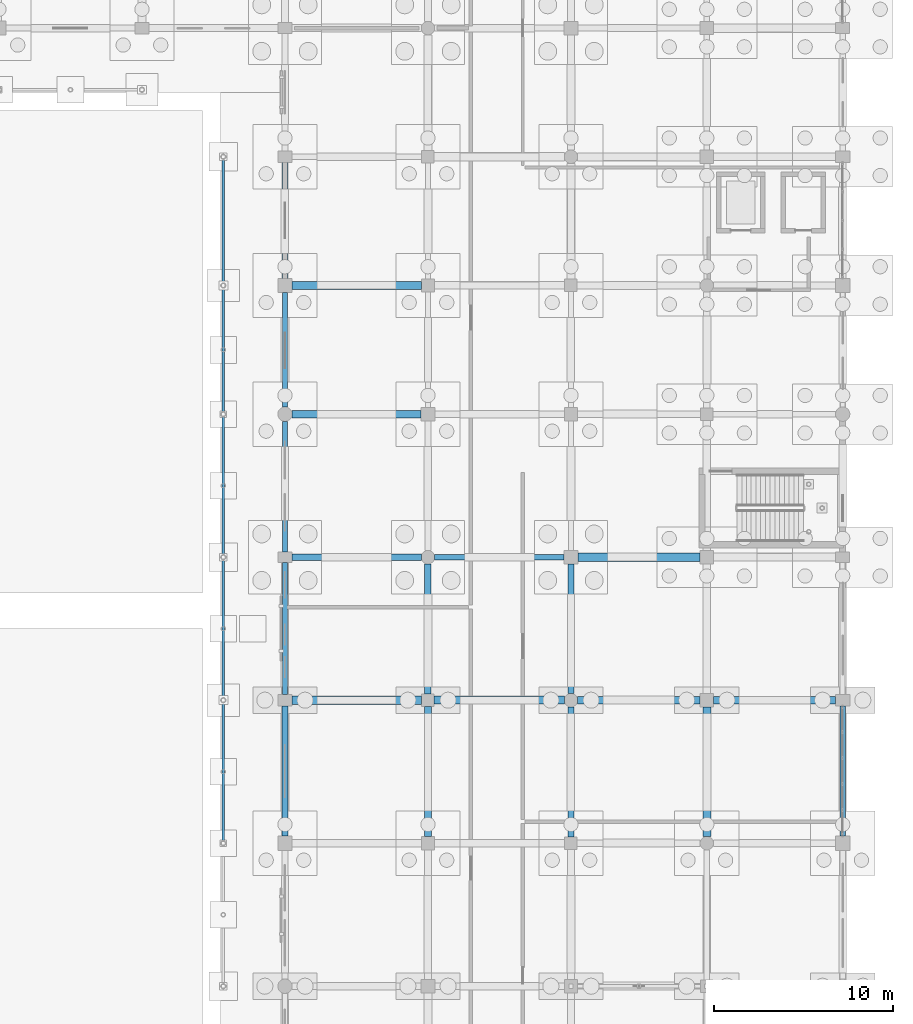
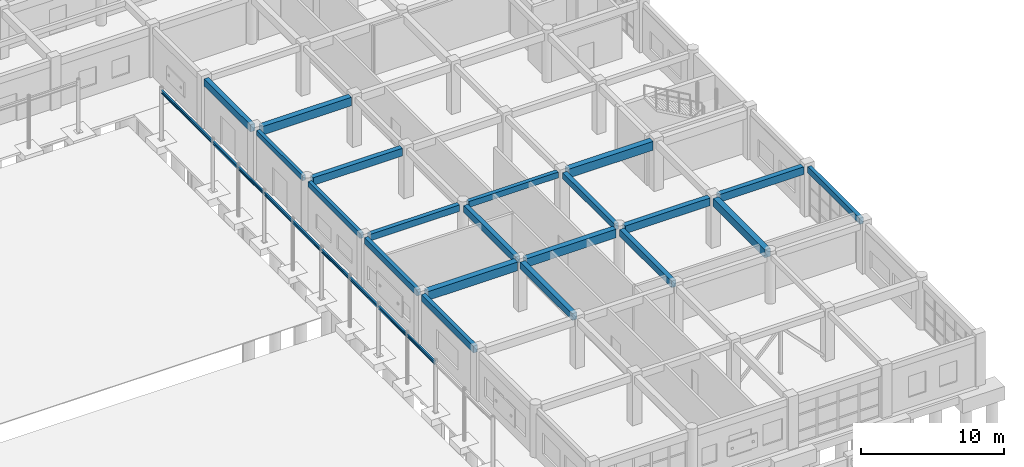
# One storey, part 93 of 166: 25 beams.
"""IFC4 building model written with IfcOpenShell, lengths in metres."""

from ifc_helpers import new_model, si_unit, direction, frame, origin, origin_2d, place, context, subcontext, project, spatial, rectangle, i_section, extrude, material, material_profile, profile_set, type_object, element, save


model = new_model("IFC4")

# Units and contexts
model_context = context("Model", 3, precision=1e-05, world=origin(), true_north=direction((0.0, 1.0)))
body_context = subcontext(model_context, "Body", "Model", "MODEL_VIEW")
ifc_project = project(units=[si_unit("LENGTHUNIT", "METRE"), si_unit("AREAUNIT", "SQUARE_METRE"), si_unit("VOLUMEUNIT", "CUBIC_METRE"), si_unit("PLANEANGLEUNIT", "RADIAN"), si_unit("MASSUNIT", "GRAM", prefix="KILO")], contexts=[model_context])

# Site, building, storey
site_placement = place(None, origin())
site = spatial("IfcSite", under=ifc_project, at=site_placement, CompositionType="ELEMENT")
building_placement = place(site_placement, origin())
building = spatial("IfcBuilding", under=site, at=building_placement, Name="Kharva Crest Polytechnic", CompositionType="ELEMENT")
storey_placement = place(building_placement, origin())
storey = spatial("IfcBuildingStorey", under=building, at=storey_placement, Name="L00", CompositionType="ELEMENT", Elevation=0.0)

# Beams
ifc_material_1 = material(Name="Concrete C35/45", Category="concrete")
ifc_material_profile_1 = material_profile(ifc_material_1, rectangle(XDim=0.320068359375, YDim=0.5, at=origin_2d()), Name="RECT 320 X 500")
ifc_profile_set_1 = profile_set([ifc_material_profile_1], Name="Concrete C35/45")
beam_type_1 = type_object("IfcBeamType", Name="BM-RC-320X500", PredefinedType="BEAM", material=ifc_profile_set_1)
beam_1_placement = place(storey_placement, frame((161.175048828125, 70.800048828125, 3.969970703125), z_axis=(1.0, 0.0, 0.0), x_axis=(0.0, 1.0, 0.0)))
element("IfcBeam", 1, at=beam_1_placement, inside=storey, type_object=beam_type_1, Name="L00 Beam K/21-22", PredefinedType="BEAM", context=body_context, shape_type="SweptSolid", body=[
    extrude(rectangle(XDim=0.320068359375, YDim=0.5, at=origin_2d()), origin(), (0.0, 0.0, 1.0), 7.244873046875),
])
ifc_material_profile_2 = material_profile(ifc_material_1, rectangle(XDim=0.340087890625, YDim=0.52001953125, at=origin_2d()), Name="RECT 340 X 520")
ifc_profile_set_2 = profile_set([ifc_material_profile_2], Name="Concrete C35/45")
beam_type_2 = type_object("IfcBeamType", Name="BM-RC-340X520", PredefinedType="BEAM", material=ifc_profile_set_2)
beam_2_placement = place(storey_placement, frame((168.800048828125, 63.175048828125, 3.9599609375), z_axis=(0.0, 1.0, 0.0), x_axis=(-1.0, 0.0, 0.0)))
element("IfcBeam", 2, at=beam_2_placement, inside=storey, type_object=beam_type_2, Name="L00 Girder 22/J-K", PredefinedType="BEAM", context=body_context, shape_type="SweptSolid", body=[
    extrude(rectangle(XDim=0.340087890625, YDim=0.52001953125, at=origin_2d()), origin(), (0.0, 0.0, 1.0), 7.244873046875),
])
ifc_material_profile_3 = material_profile(ifc_material_1, rectangle(XDim=0.35009765625, YDim=0.550048828125, at=origin_2d()), Name="RECT 350 X 550")
ifc_profile_set_3 = profile_set([ifc_material_profile_3], Name="Concrete C35/45")
beam_type_3 = type_object("IfcBeamType", Name="BM-RC-350X550", PredefinedType="BEAM", material=ifc_profile_set_3)
beam_3_placement = place(storey_placement, frame((153.18994140625, 70.800048828125, 3.945068359375), z_axis=(1.0, 0.0, 0.0), x_axis=(0.0, 1.0, 0.0)))
element("IfcBeam", 3, at=beam_3_placement, inside=storey, type_object=beam_type_3, Name="L00 Beam K/20-21", PredefinedType="BEAM", context=body_context, shape_type="SweptSolid", body=[
    extrude(rectangle(XDim=0.35009765625, YDim=0.550048828125, at=origin_2d()), origin(), (0.0, 0.0, 1.0), 7.235107421875),
])
ifc_material_profile_4 = material_profile(ifc_material_1, rectangle(XDim=0.360107421875, YDim=0.580078125, at=origin_2d()), Name="RECT 360 X 580")
ifc_profile_set_4 = profile_set([ifc_material_profile_4], Name="Concrete C35/45")
beam_type_4 = type_object("IfcBeamType", Name="BM-RC-360X580", PredefinedType="BEAM", material=ifc_profile_set_4)
for number, where, z_axis, x_axis, name in (
    (4, (160.800048828125, 63.14990234375, 3.929931640625), (0.0, 1.0, 0.0), (-1.0, 0.0, 0.0), "L00 Girder 21/J-K"),
    (5, (168.800048828125, 55.14990234375, 3.929931640625), (0.0, 1.0, 0.0), (-1.0, 0.0, 0.0), "L00 Girder 22/H-J"),
):
    element("IfcBeam", number, at=place(storey_placement, frame(where, z_axis=z_axis, x_axis=x_axis)), inside=storey, type_object=beam_type_4, Name=name, PredefinedType="BEAM", context=body_context, shape_type="SweptSolid", body=[
        extrude(rectangle(XDim=0.360107421875, YDim=0.580078125, at=origin_2d()), origin(), (0.0, 0.0, 1.0), 7.275146484375),
    ])
ifc_material_profile_5 = material_profile(ifc_material_1, rectangle(XDim=0.39990234375, YDim=0.580078125, at=origin_2d()), Name="RECT 400 X 580")
ifc_profile_set_5 = profile_set([ifc_material_profile_5], Name="Concrete C35/45")
beam_type_5 = type_object("IfcBeamType", Name="BM-RC-400X580", PredefinedType="BEAM", material=ifc_profile_set_5)
beam_4_placement = place(storey_placement, frame((160.800048828125, 55.169921875, 3.929931640625), z_axis=(0.0, 1.0, 0.0), x_axis=(-1.0, 0.0, 0.0)))
element("IfcBeam", 6, at=beam_4_placement, inside=storey, type_object=beam_type_5, Name="L00 Girder 21/H-J", PredefinedType="BEAM", context=body_context, shape_type="SweptSolid", body=[
    extrude(rectangle(XDim=0.39990234375, YDim=0.580078125, at=origin_2d()), origin(), (0.0, 0.0, 1.0), 7.280029296875),
])
ifc_material_profile_6 = material_profile(ifc_material_1, rectangle(XDim=0.39990234375, YDim=0.64990234375, at=origin_2d()), Name="RECT 400 X 650")
ifc_profile_set_6 = profile_set([ifc_material_profile_6], Name="Concrete C35/45")
beam_type_6 = type_object("IfcBeamType", Name="BM-RC-400X650", PredefinedType="BEAM", material=ifc_profile_set_6)
beam_5_placement = place(storey_placement, frame((176.780029296875, 62.800048828125, 3.89501953125), z_axis=(1.0, 0.0, 0.0), x_axis=(0.0, 1.0, 0.0)))
element("IfcBeam", 7, at=beam_5_placement, inside=storey, type_object=beam_type_6, Name="L00 Beam J/23-24", PredefinedType="BEAM", context=body_context, shape_type="SweptSolid", body=[
    extrude(rectangle(XDim=0.39990234375, YDim=0.64990234375, at=origin_2d()), origin(), (0.0, 0.0, 1.0), 6.820068359375),
])
beam_6_placement = place(storey_placement, frame((153.199951171875, 78.800048828125, 3.89501953125), z_axis=(1.0, 0.0, 0.0), x_axis=(0.0, 1.0, 0.0)))
element("IfcBeam", 8, at=beam_6_placement, inside=storey, type_object=beam_type_6, Name="L00 Beam L/20-21", PredefinedType="BEAM", context=body_context, shape_type="SweptSolid", body=[
    extrude(rectangle(XDim=0.39990234375, YDim=0.64990234375, at=origin_2d()), origin(), (0.0, 0.0, 1.0), 7.219970703125),
])
ifc_material_profile_7 = material_profile(ifc_material_1, rectangle(XDim=0.419921875, YDim=0.659912109375, at=origin_2d()), Name="RECT 420 X 660")
ifc_profile_set_7 = profile_set([ifc_material_profile_7], Name="Concrete C35/45")
beam_type_7 = type_object("IfcBeamType", Name="BM-RC-420X660", PredefinedType="BEAM", material=ifc_profile_set_7)
beam_7_placement = place(storey_placement, frame((169.175048828125, 62.800048828125, 3.889892578125), z_axis=(1.0, 0.0, 0.0), x_axis=(0.0, 1.0, 0.0)))
element("IfcBeam", 9, at=beam_7_placement, inside=storey, type_object=beam_type_7, Name="L00 Beam J/22-23", PredefinedType="BEAM", context=body_context, shape_type="SweptSolid", body=[
    extrude(rectangle(XDim=0.419921875, YDim=0.659912109375, at=origin_2d()), origin(), (0.0, 0.0, 1.0), 6.844970703125),
])
ifc_material_profile_8 = material_profile(ifc_material_1, rectangle(XDim=0.449951171875, YDim=0.679931640625, at=origin_2d()), Name="RECT 450 X 680")
ifc_profile_set_8 = profile_set([ifc_material_profile_8], Name="Concrete C35/45")
beam_type_8 = type_object("IfcBeamType", Name="BM-RC-450X680", PredefinedType="BEAM", material=ifc_profile_set_8)
beam_8_placement = place(storey_placement, frame((176.39990234375, 55.175048828125, 3.8798828125), z_axis=(0.0, 1.0, 0.0), x_axis=(-1.0, 0.0, 0.0)))
element("IfcBeam", 10, at=beam_8_placement, inside=storey, type_object=beam_type_8, Name="L00 Girder 23/H-J", PredefinedType="BEAM", context=body_context, shape_type="SweptSolid", body=[
    extrude(rectangle(XDim=0.449951171875, YDim=0.679931640625, at=origin_2d()), origin(), (0.0, 0.0, 1.0), 7.244873046875),
])
ifc_material_profile_9 = material_profile(ifc_material_1, rectangle(XDim=0.449951171875, YDim=0.719970703125, at=origin_2d()), Name="RECT 450 X 720")
ifc_profile_set_9 = profile_set([ifc_material_profile_9], Name="Concrete C35/45")
beam_type_9 = type_object("IfcBeamType", Name="BM-RC-450X720", PredefinedType="BEAM", material=ifc_profile_set_9)
beam_9_placement = place(storey_placement, frame((161.14990234375, 62.800048828125, 3.860107421875), z_axis=(1.0, 0.0, 0.0), x_axis=(0.0, 1.0, 0.0)))
element("IfcBeam", 11, at=beam_9_placement, inside=storey, type_object=beam_type_9, Name="L00 Beam J/21-22", PredefinedType="BEAM", context=body_context, shape_type="SweptSolid", body=[
    extrude(rectangle(XDim=0.449951171875, YDim=0.719970703125, at=origin_2d()), origin(), (0.0, 0.0, 1.0), 7.275146484375),
])
beam_10_placement = place(storey_placement, frame((153.199951171875, 86.0, 3.860107421875), z_axis=(1.0, 0.0, 0.0), x_axis=(0.0, 1.0, 0.0)))
element("IfcBeam", 12, at=beam_10_placement, inside=storey, type_object=beam_type_9, Name="L00 Beam M/20-21", PredefinedType="BEAM", context=body_context, shape_type="SweptSolid", body=[
    extrude(rectangle(XDim=0.449951171875, YDim=0.719970703125, at=origin_2d()), origin(), (0.0, 0.0, 1.0), 7.22998046875),
])
ifc_material_profile_10 = material_profile(ifc_material_1, rectangle(XDim=0.47998046875, YDim=0.75, at=origin_2d()), Name="RECT 480 X 750")
ifc_profile_set_10 = profile_set([ifc_material_profile_10], Name="Concrete C35/45")
beam_type_10 = type_object("IfcBeamType", Name="BM-RC-480X750", PredefinedType="BEAM", material=ifc_profile_set_10)
beam_11_placement = place(storey_placement, frame((153.199951171875, 62.800048828125, 3.844970703125), z_axis=(1.0, 0.0, 0.0), x_axis=(0.0, 1.0, 0.0)))
element("IfcBeam", 13, at=beam_11_placement, inside=storey, type_object=beam_type_10, Name="L00 Beam J/20-21", PredefinedType="BEAM", context=body_context, shape_type="SweptSolid", body=[
    extrude(rectangle(XDim=0.47998046875, YDim=0.75, at=origin_2d()), origin(), (0.0, 0.0, 1.0), 7.25),
])
beam_12_placement = place(storey_placement, frame((169.179931640625, 70.800048828125, 3.844970703125), z_axis=(1.0, 0.0, 0.0), x_axis=(0.0, 1.0, 0.0)))
element("IfcBeam", 14, at=beam_12_placement, inside=storey, type_object=beam_type_10, Name="L00 Beam K/22-23", PredefinedType="BEAM", context=body_context, shape_type="SweptSolid", body=[
    extrude(rectangle(XDim=0.47998046875, YDim=0.75, at=origin_2d()), origin(), (0.0, 0.0, 1.0), 6.85009765625),
])
ifc_material_2 = material(Name="Steel S355", Category="steel")
ifc_material_profile_11 = material_profile(ifc_material_2, i_section(OverallWidth=0.14599609375, OverallDepth=0.258056640625, WebThickness=0.006103515625, FlangeThickness=0.009033203125, at=origin_2d()), Name="W250X32.7")
ifc_profile_set_11 = profile_set([ifc_material_profile_11], Name="Steel S355")
beam_type_11 = type_object("IfcBeamType", Name="BM-STL-W250X32", PredefinedType="BEAM", material=ifc_profile_set_11)
for number, where, z_axis, x_axis, name in (
    (15, (149.35009765625, 54.820068359375, 4.160888671875), (0.0, 1.0, 0.0), (-1.0, 0.0, 0.0), "L00 East Veranda Beam 2"),
    (16, (149.35009765625, 62.820068359375, 4.160888671875), (0.0, 1.0, 0.0), (-1.0, 0.0, 0.0), "L00 East Veranda Beam 3"),
    (17, (149.35009765625, 70.820068359375, 4.160888671875), (0.0, 1.0, 0.0), (-1.0, 0.0, 0.0), "L00 East Veranda Beam 4"),
):
    element("IfcBeam", number, at=place(storey_placement, frame(where, z_axis=z_axis, x_axis=x_axis)), inside=storey, type_object=beam_type_11, Name=name, PredefinedType="BEAM", context=body_context, shape_type="SweptSolid", body=[
        extrude(i_section(OverallWidth=0.14599609375, OverallDepth=0.258056640625, WebThickness=0.006103515625, FlangeThickness=0.009033203125, at=origin_2d()), origin(), (0.0, 0.0, 1.0), 7.9599609375),
    ])
for number, where, z_axis, x_axis, name in (
    (18, (149.35009765625, 78.820068359375, 4.160888671875), (0.0, 1.0, 0.0), (-1.0, 0.0, 0.0), "L00 East Veranda Beam 5"),
    (19, (149.35009765625, 86.02001953125, 4.160888671875), (0.0, 1.0, 0.0), (-1.0, 0.0, 0.0), "L00 East Veranda Beam 6"),
):
    element("IfcBeam", number, at=place(storey_placement, frame(where, z_axis=z_axis, x_axis=x_axis)), inside=storey, type_object=beam_type_11, Name=name, PredefinedType="BEAM", context=body_context, shape_type="SweptSolid", body=[
        extrude(i_section(OverallWidth=0.14599609375, OverallDepth=0.258056640625, WebThickness=0.006103515625, FlangeThickness=0.009033203125, at=origin_2d()), origin(), (0.0, 0.0, 1.0), 7.159912109375),
    ])
ifc_material_profile_12 = material_profile(ifc_material_1, rectangle(XDim=0.260009765625, YDim=0.43994140625, at=origin_2d()), Name="RECT 260 X 440")
ifc_profile_set_12 = profile_set([ifc_material_profile_12], Name="Concrete C35/45")
beam_type_12 = type_object("IfcBeamType", Name="SP-RC-260X440", PredefinedType="SPANDREL", material=ifc_profile_set_12)
beam_13_placement = place(storey_placement, frame((152.800048828125, 79.199951171875, 4.0), z_axis=(0.0, 1.0, 0.0), x_axis=(-1.0, 0.0, 0.0)))
element("IfcBeam", 20, at=beam_13_placement, inside=storey, type_object=beam_type_12, Name="L00 Girder 20/L-M", PredefinedType="SPANDREL", context=body_context, shape_type="SweptSolid", body=[
    extrude(rectangle(XDim=0.260009765625, YDim=0.43994140625, at=origin_2d()), origin(), (0.0, 0.0, 1.0), 6.400146484375),
])
ifc_material_profile_13 = material_profile(ifc_material_1, rectangle(XDim=0.280029296875, YDim=0.4599609375, at=origin_2d()), Name="RECT 280 X 460")
ifc_profile_set_13 = profile_set([ifc_material_profile_13], Name="Concrete C35/45")
beam_type_13 = type_object("IfcBeamType", Name="SP-RC-280X460", PredefinedType="SPANDREL", material=ifc_profile_set_13)
beam_14_placement = place(storey_placement, frame((152.800048828125, 71.10009765625, 3.989990234375), z_axis=(0.0, 1.0, 0.0), x_axis=(-1.0, 0.0, 0.0)))
element("IfcBeam", 21, at=beam_14_placement, inside=storey, type_object=beam_type_13, Name="L00 Girder 20/K-L", PredefinedType="SPANDREL", context=body_context, shape_type="SweptSolid", body=[
    extrude(rectangle(XDim=0.280029296875, YDim=0.4599609375, at=origin_2d()), origin(), (0.0, 0.0, 1.0), 7.2998046875),
])
ifc_material_profile_14 = material_profile(ifc_material_1, rectangle(XDim=0.300048828125, YDim=0.52001953125, at=origin_2d()), Name="RECT 300 X 520")
ifc_profile_set_14 = profile_set([ifc_material_profile_14], Name="Concrete C35/45")
beam_type_14 = type_object("IfcBeamType", Name="SP-RC-300X520", PredefinedType="SPANDREL", material=ifc_profile_set_14)
beam_15_placement = place(storey_placement, frame((152.800048828125, 63.125, 3.9599609375), z_axis=(0.0, 1.0, 0.0), x_axis=(-1.0, 0.0, 0.0)))
element("IfcBeam", 22, at=beam_15_placement, inside=storey, type_object=beam_type_14, Name="L00 Girder 20/J-K", PredefinedType="SPANDREL", context=body_context, shape_type="SweptSolid", body=[
    extrude(rectangle(XDim=0.300048828125, YDim=0.52001953125, at=origin_2d()), origin(), (0.0, 0.0, 1.0), 7.375),
])
beam_16_placement = place(storey_placement, frame((184.0, 55.199951171875, 3.9599609375), z_axis=(0.0, 1.0, 0.0), x_axis=(-1.0, 0.0, 0.0)))
element("IfcBeam", 23, at=beam_16_placement, inside=storey, type_object=beam_type_14, Name="L00 Girder 24/H-J", PredefinedType="SPANDREL", context=body_context, shape_type="SweptSolid", body=[
    extrude(rectangle(XDim=0.300048828125, YDim=0.52001953125, at=origin_2d()), origin(), (0.0, 0.0, 1.0), 7.275146484375),
])
ifc_material_profile_15 = material_profile(ifc_material_1, rectangle(XDim=0.320068359375, YDim=0.580078125, at=origin_2d()), Name="RECT 320 X 580")
ifc_profile_set_15 = profile_set([ifc_material_profile_15], Name="Concrete C35/45")
beam_type_15 = type_object("IfcBeamType", Name="SP-RC-320X580", PredefinedType="SPANDREL", material=ifc_profile_set_15)
beam_17_placement = place(storey_placement, frame((152.800048828125, 55.199951171875, 3.929931640625), z_axis=(0.0, 1.0, 0.0), x_axis=(-1.0, 0.0, 0.0)))
element("IfcBeam", 24, at=beam_17_placement, inside=storey, type_object=beam_type_15, Name="L00 Girder 20/H-J", PredefinedType="SPANDREL", context=body_context, shape_type="SweptSolid", body=[
    extrude(rectangle(XDim=0.320068359375, YDim=0.580078125, at=origin_2d()), origin(), (0.0, 0.0, 1.0), 7.275146484375),
])
ifc_material_profile_16 = material_profile(ifc_material_1, rectangle(XDim=0.35009765625, YDim=0.6201171875, at=origin_2d()), Name="RECT 350 X 620")
ifc_profile_set_16 = profile_set([ifc_material_profile_16], Name="Concrete C35/45")
beam_type_16 = type_object("IfcBeamType", Name="SP-RC-350X620", PredefinedType="SPANDREL", material=ifc_profile_set_16)
beam_18_placement = place(storey_placement, frame((152.800048828125, 86.39990234375, 3.909912109375), z_axis=(0.0, 1.0, 0.0), x_axis=(-1.0, 0.0, 0.0)))
element("IfcBeam", 25, at=beam_18_placement, inside=storey, type_object=beam_type_16, Name="L00 Girder 20/M-N", PredefinedType="SPANDREL", context=body_context, shape_type="SweptSolid", body=[
    extrude(rectangle(XDim=0.35009765625, YDim=0.6201171875, at=origin_2d()), origin(), (0.0, 0.0, 1.0), 6.47509765625),
])

save(model, "model.ifc")
